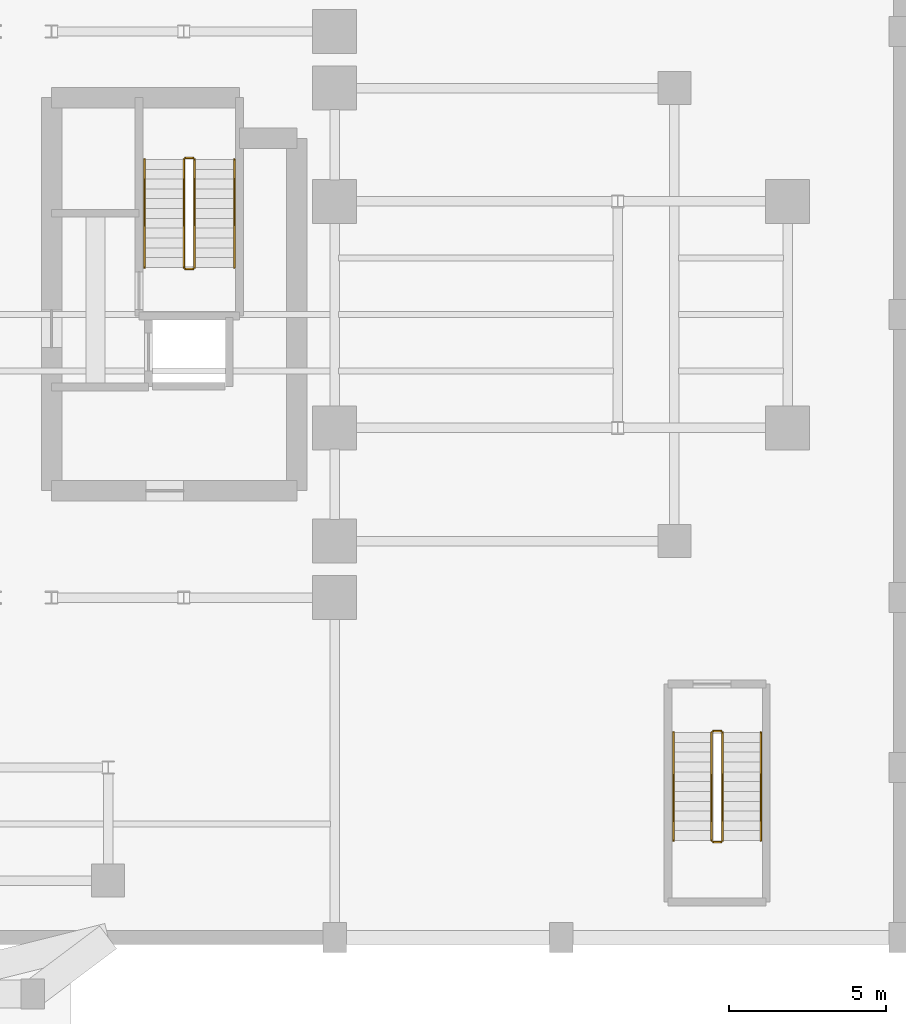
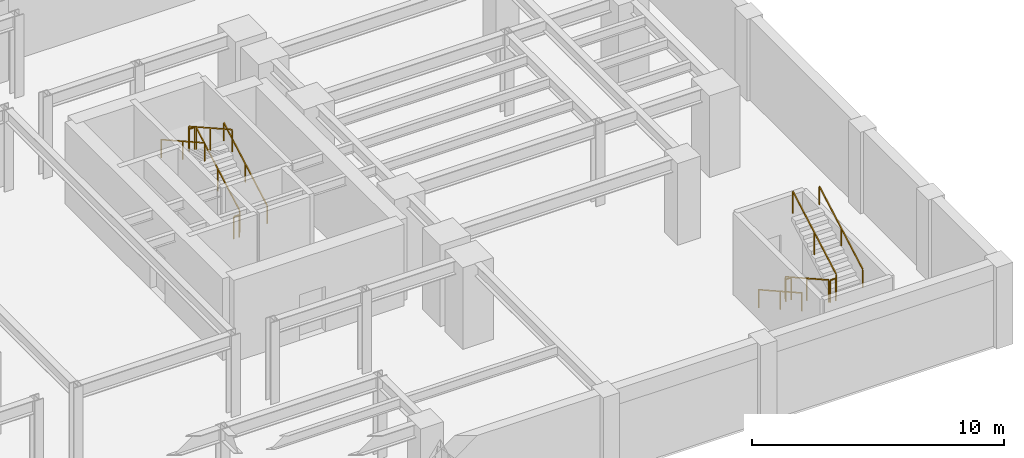
# One storey, part 9 of 9: 12 railings.
"""IFC4 building model written with IfcOpenShell, lengths in metres."""

from ifc_helpers import new_model, si_unit, direction, frame, origin, origin_2d, place, context, subcontext, project, spatial, rectangle, extrude, material, type_object, element, save


model = new_model("IFC4")

# Units and contexts
model_context = context("Model", 3, precision=1e-05, world=origin(), true_north=direction((0.0, 1.0)))
body_context = subcontext(model_context, "Body", "Model", "MODEL_VIEW")
ifc_project = project(units=[si_unit("LENGTHUNIT", "METRE"), si_unit("AREAUNIT", "SQUARE_METRE"), si_unit("VOLUMEUNIT", "CUBIC_METRE"), si_unit("PLANEANGLEUNIT", "RADIAN"), si_unit("MASSUNIT", "GRAM", prefix="KILO")], contexts=[model_context])

# Site, building, storey
site_placement = place(None, origin())
site = spatial("IfcSite", under=ifc_project, at=site_placement, CompositionType="ELEMENT")
building_placement = place(site_placement, origin())
building = spatial("IfcBuilding", under=site, at=building_placement, Name="Keilestroom Media Tower", CompositionType="ELEMENT")
storey_placement = place(building_placement, frame((0.0, 0.0, -4.199951171875)))
storey = spatial("IfcBuildingStorey", under=building, at=storey_placement, Name="B1", CompositionType="ELEMENT", Elevation=-4.199951171875)

# Railings
ifc_material_1 = material(Name="Brushed Stainless Steel 1.4301", Category="steel")
railing_type_1 = type_object("IfcRailingType", Name="Stair-Pitch-Handrail-920", PredefinedType="HANDRAIL", material=ifc_material_1)
railing_1_placement = place(storey_placement, frame((11.2099609375, 1.5, 0.175048828125)))
element("IfcRailing", 1, at=railing_1_placement, inside=storey, type_object=railing_type_1, Name="B1 ST-2 stair handrail 1", PredefinedType="HANDRAIL", context=body_context, shape_type="SweptSolid", body=[
    extrude(rectangle(XDim=0.048095703125, YDim=0.048095703125, at=origin_2d()), frame((0.0, 0.0, 0.8759765625), z_axis=(0.0, 0.872186301735, 0.489173849532), x_axis=(-1.0, 0.0, 0.0)), (0.0, 0.0, 1.0), 3.934814453125),
    extrude(rectangle(XDim=0.0419921875, YDim=0.0419921875, at=origin_2d()), origin(), (0.0, 0.0, 1.0), 0.84375),
    extrude(rectangle(XDim=0.0419921875, YDim=0.0419921875, at=origin_2d()), frame((0.0, 1.7158203125, 0.96240234375)), (0.0, 0.0, 1.0), 0.84375),
    extrude(rectangle(XDim=0.0419921875, YDim=0.0419921875, at=origin_2d()), frame((0.0, 3.431884765625, 1.9248046875)), (0.0, 0.0, 1.0), 0.84375),
])
railing_2_placement = place(storey_placement, frame((8.35009765625, 4.931884765625, 2.27490234375)))
element("IfcRailing", 2, at=railing_2_placement, inside=storey, type_object=railing_type_1, Name="B1 ST-2 stair handrail 2", PredefinedType="HANDRAIL", context=body_context, shape_type="SweptSolid", body=[
    extrude(rectangle(XDim=0.048095703125, YDim=0.048095703125, at=origin_2d()), frame((0.0, 0.0, 0.8759765625), z_axis=(0.0, -0.872159829118, 0.489221046638), x_axis=(1.0, 0.0, 0.0)), (0.0, 0.0, 1.0), 3.934814453125),
    extrude(rectangle(XDim=0.0419921875, YDim=0.0419921875, at=origin_2d()), origin(), (0.0, 0.0, 1.0), 0.84375),
    extrude(rectangle(XDim=0.0419921875, YDim=0.0419921875, at=origin_2d()), frame((0.0, -1.7158203125, 0.96240234375)), (0.0, 0.0, 1.0), 0.84375),
    extrude(rectangle(XDim=0.0419921875, YDim=0.0419921875, at=origin_2d()), frame((0.0, -3.431884765625, 1.925048828125)), (0.0, 0.0, 1.0), 0.84375),
])
railing_3_placement = place(storey_placement, frame((25.169921875, -13.2900390625, 0.175048828125)))
element("IfcRailing", 3, at=railing_3_placement, inside=storey, type_object=railing_type_1, Name="B1 ST-4 stair handrail 1", PredefinedType="HANDRAIL", context=body_context, shape_type="SweptSolid", body=[
    extrude(rectangle(XDim=0.048095703125, YDim=0.048095703125, at=origin_2d()), frame((0.0, 0.0, 0.8759765625), z_axis=(0.0, -0.872186301735, 0.489173849532), x_axis=(1.0, 0.0, 0.0)), (0.0, 0.0, 1.0), 3.934814453125),
    extrude(rectangle(XDim=0.0419921875, YDim=0.0419921875, at=origin_2d()), origin(), (0.0, 0.0, 1.0), 0.84375),
    extrude(rectangle(XDim=0.0419921875, YDim=0.0419921875, at=origin_2d()), frame((0.0, -1.7158203125, 0.96240234375)), (0.0, 0.0, 1.0), 0.84375),
    extrude(rectangle(XDim=0.0419921875, YDim=0.0419921875, at=origin_2d()), frame((0.0, -3.431884765625, 1.9248046875)), (0.0, 0.0, 1.0), 0.84375),
])
railing_4_placement = place(storey_placement, frame((27.949951171875, -16.721923828125, 2.27490234375)))
element("IfcRailing", 4, at=railing_4_placement, inside=storey, type_object=railing_type_1, Name="B1 ST-4 stair handrail 2", PredefinedType="HANDRAIL", context=body_context, shape_type="SweptSolid", body=[
    extrude(rectangle(XDim=0.048095703125, YDim=0.048095703125, at=origin_2d()), frame((0.0, 0.0, 0.8759765625), z_axis=(0.0, 0.872159829118, 0.489221046638), x_axis=(-1.0, 0.0, 0.0)), (0.0, 0.0, 1.0), 3.934814453125),
    extrude(rectangle(XDim=0.0419921875, YDim=0.0419921875, at=origin_2d()), origin(), (0.0, 0.0, 1.0), 0.84375),
    extrude(rectangle(XDim=0.0419921875, YDim=0.0419921875, at=origin_2d()), frame((0.0, 1.7158203125, 0.96240234375)), (0.0, 0.0, 1.0), 0.84375),
    extrude(rectangle(XDim=0.0419921875, YDim=0.0419921875, at=origin_2d()), frame((0.0, 3.431884765625, 1.925048828125)), (0.0, 0.0, 1.0), 0.84375),
])
ifc_material_2 = material(Name="Painted Steel Balustrade", Category="steel")
railing_type_2 = type_object("IfcRailingType", Name="Stair-Well-And-Landing-Guard-1100", PredefinedType="GUARDRAIL", material=ifc_material_2)
railing_5_placement = place(storey_placement, frame((9.949951171875, 1.5, 0.175048828125)))
element("IfcRailing", 5, at=railing_5_placement, inside=storey, type_object=railing_type_2, Name="B1 ST-2 stair guard 1", PredefinedType="GUARDRAIL", context=body_context, shape_type="SweptSolid", body=[
    extrude(rectangle(XDim=0.048095703125, YDim=0.048095703125, at=origin_2d()), frame((0.0, 0.0, 1.076171875), z_axis=(0.0, 0.872186301735, 0.489173849532), x_axis=(-1.0, 0.0, 0.0)), (0.0, 0.0, 1.0), 3.934814453125),
    extrude(rectangle(XDim=0.0419921875, YDim=0.0419921875, at=origin_2d()), origin(), (0.0, 0.0, 1.0), 1.0439453125),
    extrude(rectangle(XDim=0.0419921875, YDim=0.0419921875, at=origin_2d()), frame((0.0, 1.7158203125, 0.96240234375)), (0.0, 0.0, 1.0), 1.0439453125),
    extrude(rectangle(XDim=0.0419921875, YDim=0.0419921875, at=origin_2d()), frame((0.0, 3.431884765625, 1.9248046875)), (0.0, 0.0, 1.0), 1.0439453125),
])
railing_6_placement = place(storey_placement, frame((9.89990234375, 4.98193359375, 2.099853515625)))
element("IfcRailing", 6, at=railing_6_placement, inside=storey, type_object=railing_type_2, Name="B1 ST-2 stair guard 2", PredefinedType="GUARDRAIL", context=body_context, shape_type="SweptSolid", body=[
    extrude(rectangle(XDim=0.048095703125, YDim=0.048095703125, at=origin_2d()), frame((0.0, 0.0, 1.076171875), z_axis=(-1.0, 0.0, 0.0), x_axis=(0.0, -1.0, 0.0)), (0.0, 0.0, 1.0), 0.239990234375),
    extrude(rectangle(XDim=0.0419921875, YDim=0.0419921875, at=origin_2d()), origin(), (0.0, 0.0, 1.0), 1.0439453125),
    extrude(rectangle(XDim=0.0419921875, YDim=0.0419921875, at=origin_2d()), frame((-0.239990234375, 0.0, 0.0)), (0.0, 0.0, 1.0), 1.0439453125),
])
railing_7_placement = place(storey_placement, frame((9.610107421875, 4.931884765625, 2.27490234375)))
element("IfcRailing", 7, at=railing_7_placement, inside=storey, type_object=railing_type_2, Name="B1 ST-2 stair guard 3", PredefinedType="GUARDRAIL", context=body_context, shape_type="SweptSolid", body=[
    extrude(rectangle(XDim=0.048095703125, YDim=0.048095703125, at=origin_2d()), frame((0.0, 0.0, 1.076171875), z_axis=(0.0, -0.872159829118, 0.489221046638), x_axis=(1.0, 0.0, 0.0)), (0.0, 0.0, 1.0), 3.934814453125),
    extrude(rectangle(XDim=0.0419921875, YDim=0.0419921875, at=origin_2d()), origin(), (0.0, 0.0, 1.0), 1.0439453125),
    extrude(rectangle(XDim=0.0419921875, YDim=0.0419921875, at=origin_2d()), frame((0.0, -1.7158203125, 0.96240234375)), (0.0, 0.0, 1.0), 1.0439453125),
    extrude(rectangle(XDim=0.0419921875, YDim=0.0419921875, at=origin_2d()), frame((0.0, -3.431884765625, 1.925048828125)), (0.0, 0.0, 1.0), 1.0439453125),
])
railing_8_placement = place(storey_placement, frame((9.89990234375, 1.449951171875, 0.0)))
element("IfcRailing", 8, at=railing_8_placement, inside=storey, type_object=railing_type_2, Name="B1 ST-2 stair guard 4", PredefinedType="GUARDRAIL", context=body_context, shape_type="SweptSolid", body=[
    extrude(rectangle(XDim=0.048095703125, YDim=0.048095703125, at=origin_2d()), frame((0.0, 0.0, 1.076171875), z_axis=(-1.0, 0.0, 0.0), x_axis=(0.0, -1.0, 0.0)), (0.0, 0.0, 1.0), 0.239990234375),
    extrude(rectangle(XDim=0.0419921875, YDim=0.0419921875, at=origin_2d()), origin(), (0.0, 0.0, 1.0), 1.0439453125),
    extrude(rectangle(XDim=0.0419921875, YDim=0.0419921875, at=origin_2d()), frame((-0.239990234375, 0.0, 0.0)), (0.0, 0.0, 1.0), 1.0439453125),
])
railing_9_placement = place(storey_placement, frame((26.389892578125, -13.2900390625, 0.175048828125)))
element("IfcRailing", 9, at=railing_9_placement, inside=storey, type_object=railing_type_2, Name="B1 ST-4 stair guard 1", PredefinedType="GUARDRAIL", context=body_context, shape_type="SweptSolid", body=[
    extrude(rectangle(XDim=0.048095703125, YDim=0.048095703125, at=origin_2d()), frame((0.0, 0.0, 1.076171875), z_axis=(0.0, -0.872186301735, 0.489173849532), x_axis=(1.0, 0.0, 0.0)), (0.0, 0.0, 1.0), 3.934814453125),
    extrude(rectangle(XDim=0.0419921875, YDim=0.0419921875, at=origin_2d()), origin(), (0.0, 0.0, 1.0), 1.0439453125),
    extrude(rectangle(XDim=0.0419921875, YDim=0.0419921875, at=origin_2d()), frame((0.0, -1.7158203125, 0.96240234375)), (0.0, 0.0, 1.0), 1.0439453125),
    extrude(rectangle(XDim=0.0419921875, YDim=0.0419921875, at=origin_2d()), frame((0.0, -3.431884765625, 1.9248046875)), (0.0, 0.0, 1.0), 1.0439453125),
])
railing_10_placement = place(storey_placement, frame((26.43994140625, -16.77197265625, 2.099853515625)))
element("IfcRailing", 10, at=railing_10_placement, inside=storey, type_object=railing_type_2, Name="B1 ST-4 stair guard 2", PredefinedType="GUARDRAIL", context=body_context, shape_type="SweptSolid", body=[
    extrude(rectangle(XDim=0.048095703125, YDim=0.048095703125, at=origin_2d()), frame((0.0, 0.0, 1.076171875), z_axis=(1.0, 0.0, 0.0), x_axis=(0.0, 1.0, 0.0)), (0.0, 0.0, 1.0), 0.239990234375),
    extrude(rectangle(XDim=0.0419921875, YDim=0.0419921875, at=origin_2d()), origin(), (0.0, 0.0, 1.0), 1.0439453125),
    extrude(rectangle(XDim=0.0419921875, YDim=0.0419921875, at=origin_2d()), frame((0.239990234375, 0.0, 0.0)), (0.0, 0.0, 1.0), 1.0439453125),
])
railing_11_placement = place(storey_placement, frame((26.72998046875, -16.721923828125, 2.27490234375)))
element("IfcRailing", 11, at=railing_11_placement, inside=storey, type_object=railing_type_2, Name="B1 ST-4 stair guard 3", PredefinedType="GUARDRAIL", context=body_context, shape_type="SweptSolid", body=[
    extrude(rectangle(XDim=0.048095703125, YDim=0.048095703125, at=origin_2d()), frame((0.0, 0.0, 1.076171875), z_axis=(0.0, 0.872159829118, 0.489221046638), x_axis=(-1.0, 0.0, 0.0)), (0.0, 0.0, 1.0), 3.934814453125),
    extrude(rectangle(XDim=0.0419921875, YDim=0.0419921875, at=origin_2d()), origin(), (0.0, 0.0, 1.0), 1.0439453125),
    extrude(rectangle(XDim=0.0419921875, YDim=0.0419921875, at=origin_2d()), frame((0.0, 1.7158203125, 0.96240234375)), (0.0, 0.0, 1.0), 1.0439453125),
    extrude(rectangle(XDim=0.0419921875, YDim=0.0419921875, at=origin_2d()), frame((0.0, 3.431884765625, 1.925048828125)), (0.0, 0.0, 1.0), 1.0439453125),
])
railing_12_placement = place(storey_placement, frame((26.43994140625, -13.239990234375, 0.0)))
element("IfcRailing", 12, at=railing_12_placement, inside=storey, type_object=railing_type_2, Name="B1 ST-4 stair guard 4", PredefinedType="GUARDRAIL", context=body_context, shape_type="SweptSolid", body=[
    extrude(rectangle(XDim=0.048095703125, YDim=0.048095703125, at=origin_2d()), frame((0.0, 0.0, 1.076171875), z_axis=(1.0, 0.0, 0.0), x_axis=(0.0, 1.0, 0.0)), (0.0, 0.0, 1.0), 0.239990234375),
    extrude(rectangle(XDim=0.0419921875, YDim=0.0419921875, at=origin_2d()), origin(), (0.0, 0.0, 1.0), 1.0439453125),
    extrude(rectangle(XDim=0.0419921875, YDim=0.0419921875, at=origin_2d()), frame((0.239990234375, 0.0, 0.0)), (0.0, 0.0, 1.0), 1.0439453125),
])

save(model, "model.ifc")
